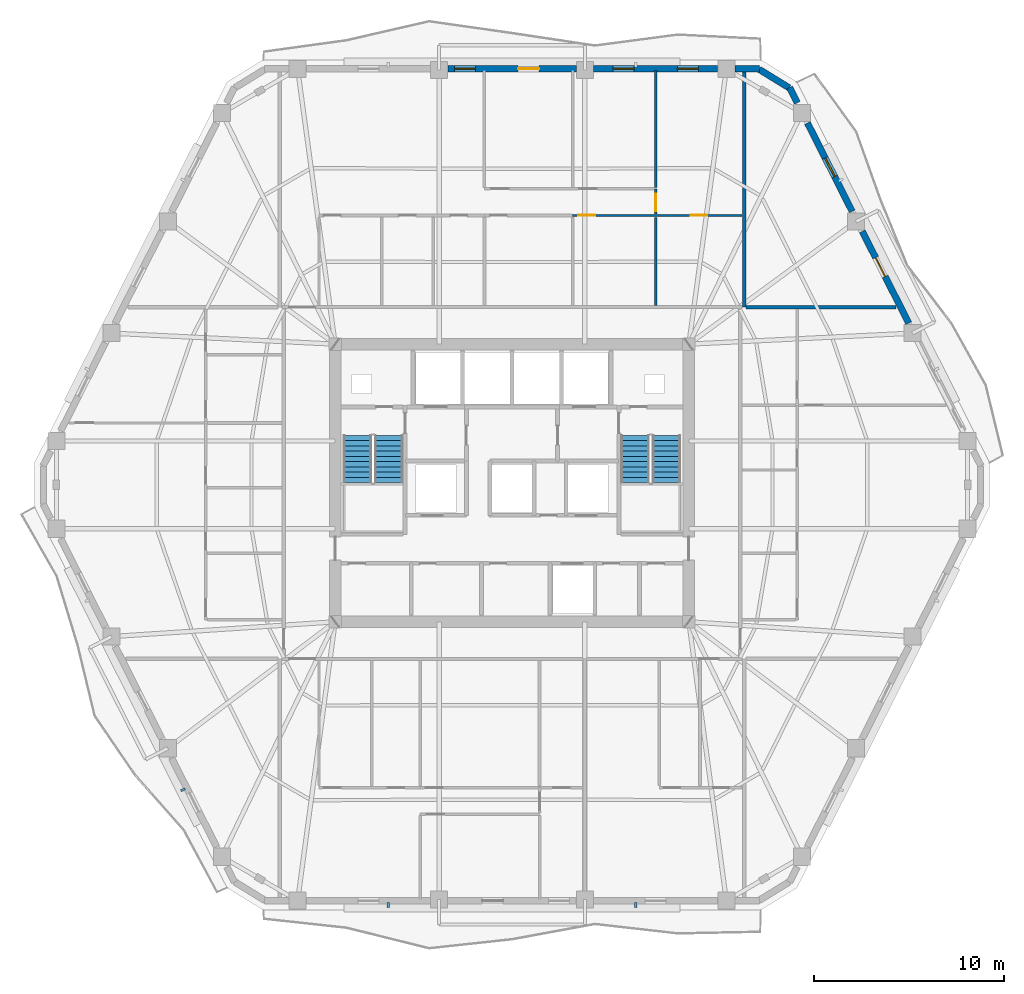
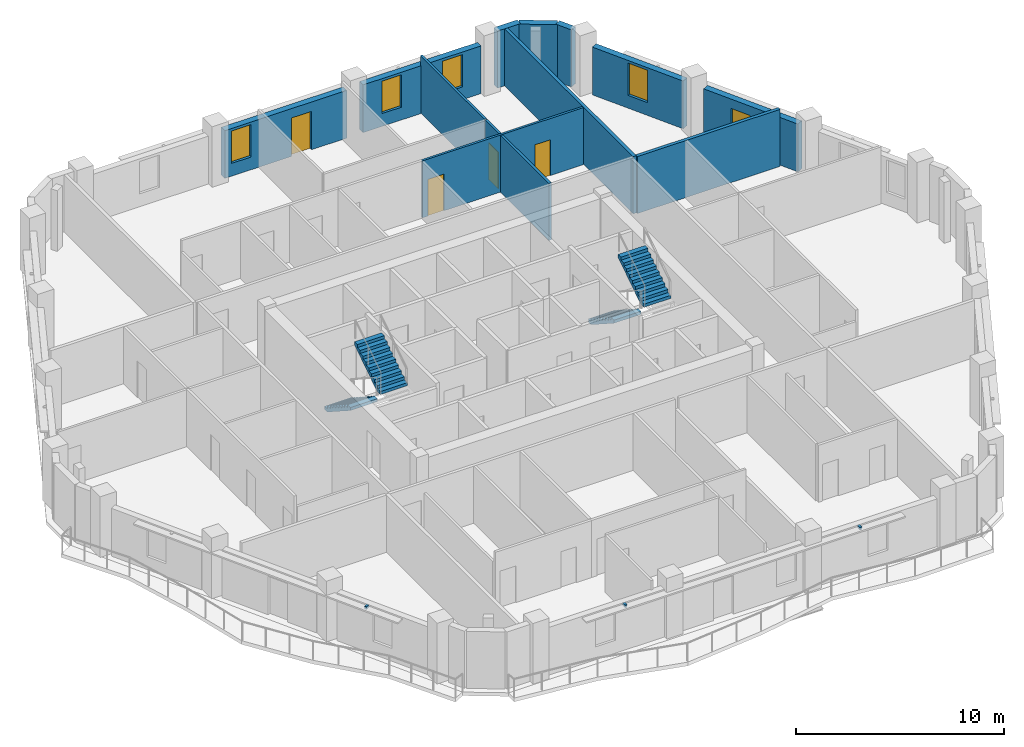
# One storey, part 8 of 12: 13 walls, 5 doors, 4 stair flights, 4 windows, 3 discrete accessories, 9 openings, 2 elements without a shape of their own.
"""IFC4 building model written with IfcOpenShell, lengths in metres."""

from ifc_helpers import new_model, si_unit, direction, frame, frame_2d, origin, origin_2d, place, context, subcontext, project, spatial, polyline, rectangle, outline, extrude, material, layer, layer_set, type_object, element, fill, aggregate, save


model = new_model("IFC4")

# Units and contexts
model_context = context("Model", 3, precision=1e-05, world=origin(), true_north=direction((0.0, 1.0)))
body_context = subcontext(model_context, "Body", "Model", "MODEL_VIEW")
ifc_project = project(units=[si_unit("LENGTHUNIT", "METRE"), si_unit("AREAUNIT", "SQUARE_METRE"), si_unit("VOLUMEUNIT", "CUBIC_METRE"), si_unit("PLANEANGLEUNIT", "RADIAN"), si_unit("MASSUNIT", "GRAM", prefix="KILO")], contexts=[model_context])

# Site, building, storey
site_placement = place(None, origin())
site = spatial("IfcSite", under=ifc_project, at=site_placement, CompositionType="ELEMENT")
building_placement = place(site_placement, origin())
building = spatial("IfcBuilding", under=site, at=building_placement, Name="Cinnabar Lancet Tower", CompositionType="ELEMENT")
storey_placement = place(building_placement, frame((0.0, 0.0, 153.5)))
storey = spatial("IfcBuildingStorey", under=building, at=storey_placement, Name="L40", CompositionType="ELEMENT", Elevation=153.5)

# Walls
ifc_material_1 = material(Name="Fire-rated twin-frame acoustic drywall", Category="gypsum")
ifc_layer_1 = layer(ifc_material_1, 0.179931640625)
ifc_layer_set_1 = layer_set([ifc_layer_1], Name="Fire-rated twin-frame acoustic drywall")
wall_type_1 = type_object("IfcWallType", Name="ARC-WL-PARTY-180", PredefinedType="PARTITIONING", material=ifc_layer_set_1)
wall_1_placement = place(storey_placement, frame((44.60009765625, 35.14990234375, 0.0), z_axis=(0.0, 0.0, 1.0), x_axis=(0.0, 1.0, 0.0)))
element("IfcWall", 1, at=wall_1_placement, inside=storey, type_object=wall_type_1, Name="PW-L40-NPTY-446", PredefinedType="PARTITIONING", context=body_context, shape_type="SweptSolid", body=[
    extrude(rectangle(XDim=12.34521484375, YDim=0.179931640625, at=frame_2d((6.172607421875, 0.0))), origin(), (0.0, 0.0, 1.0), 3.340087890625),
])
wall_2_placement = place(storey_placement, frame((44.695068359375, 35.14990234375, 0.0), z_axis=(0.0, 0.0, 1.0), x_axis=(1.0, 0.0, 0.0)))
element("IfcWall", 2, at=wall_2_placement, inside=storey, type_object=wall_type_1, Name="PW-L40-ENB", PredefinedType="PARTITIONING", context=body_context, shape_type="SweptSolid", body=[
    extrude(rectangle(XDim=7.89501953125, YDim=0.179931640625, at=frame_2d((3.947509765625, 0.0))), origin(), (0.0, 0.0, 1.0), 3.340087890625),
])

# Wall, openings, doors
ifc_material_2 = material(Name="Gypsum plasterboard stud partition", Category="gypsum")
ifc_layer_2 = layer(ifc_material_2, 0.125)
ifc_layer_set_2 = layer_set([ifc_layer_2], Name="Gypsum plasterboard stud partition")
wall_type_2 = type_object("IfcWallType", Name="ARC-WL-UNIT-125", PredefinedType="PARTITIONING", material=ifc_layer_set_2)
wall_3_placement = place(storey_placement, frame((35.591064453125, 39.965087890625, 0.0), z_axis=(0.0, 0.0, 1.0), x_axis=(1.0, 0.0, 0.0)))
wall_3 = element("IfcWall", 3, at=wall_3_placement, inside=storey, type_object=wall_type_2, Name="UW-L40-N01-SP2", PredefinedType="PARTITIONING", context=body_context, shape_type="SweptSolid", body=[
    extrude(rectangle(XDim=8.913818359375, YDim=0.125, at=frame_2d((4.45703125, 0.0))), origin(), (0.0, 0.0, 1.0), 3.340087890625),
])
opening_1_placement = place(wall_3_placement, frame((6.216064453125, 0.0, 0.0)))
opening_1 = element("IfcOpeningElement", 4, at=opening_1_placement, cuts=wall_3, Name="Opening BD-01", PredefinedType="OPENING", context=body_context, shape_type="SweptSolid", body=[
    extrude(rectangle(XDim=0.860107421875, YDim=2.10009765625, at=frame_2d((0.43017578125, 1.050048828125))), frame((0.0, 0.072509765625, 0.0), z_axis=(0.0, -1.0, 0.0), x_axis=(1.0, 0.0, 0.0)), (0.0, 0.0, 1.0), 0.14501953125),
])
opening_2_placement = place(wall_3_placement, frame((0.300048828125, 0.0, 0.0)))
opening_2 = element("IfcOpeningElement", 5, at=opening_2_placement, cuts=wall_3, Name="Opening RD-02", PredefinedType="OPENING", context=body_context, shape_type="SweptSolid", body=[
    extrude(rectangle(XDim=0.8798828125, YDim=2.14990234375, at=frame_2d((0.43994140625, 1.074951171875))), frame((0.0, 0.072509765625, 0.0), z_axis=(0.0, -1.0, 0.0), x_axis=(1.0, 0.0, 0.0)), (0.0, 0.0, 1.0), 0.14501953125),
])
ifc_material_3 = material(Name="Moisture-resistant timber bathroom door", Category="wood")
door_type_1 = type_object("IfcDoorType", Name="ARC-DR-BATH", OperationType="NOTDEFINED", PredefinedType="DOOR", material=ifc_material_3)
door_1_placement = place(opening_1_placement, origin())
door_1 = element("IfcDoor", 6, at=door_1_placement, inside=storey, type_object=door_type_1, Name="DR-L40-N01-ENS", OperationType="SINGLE_SWING_LEFT", OverallHeight=2.10009765625, OverallWidth=0.860107421875, PredefinedType="DOOR", context=body_context, shape_type="SweptSolid", body=[
    extrude(rectangle(XDim=0.860107421875, YDim=2.10009765625, at=frame_2d((0.43017578125, 1.050048828125))), frame((0.0, 0.02490234375, 0.0), z_axis=(0.0, -1.0, 0.0), x_axis=(1.0, 0.0, 0.0)), (0.0, 0.0, 1.0), 0.050048828125),
])
fill(opening_1, door_1)
ifc_material_4 = material(Name="Engineered timber study door", Category="wood")
door_type_2 = type_object("IfcDoorType", Name="ARC-DR-STUDY", OperationType="NOTDEFINED", PredefinedType="DOOR", material=ifc_material_4)
door_2_placement = place(opening_2_placement, origin())
door_2 = element("IfcDoor", 7, at=door_2_placement, inside=storey, type_object=door_type_2, Name="DR-L40-N01-DRS", OperationType="SINGLE_SWING_RIGHT", OverallHeight=2.14990234375, OverallWidth=0.8798828125, PredefinedType="DOOR", context=body_context, shape_type="SweptSolid", body=[
    extrude(rectangle(XDim=0.8798828125, YDim=2.14990234375, at=frame_2d((0.43994140625, 1.074951171875))), frame((0.0, 0.02490234375, 0.0), z_axis=(0.0, -1.0, 0.0), x_axis=(1.0, 0.0, 0.0)), (0.0, 0.0, 1.0), 0.050048828125),
])
fill(opening_2, door_2)

# Wall, opening, door
wall_4_placement = place(storey_placement, frame((39.958984375, 40.034912109375, 0.0), z_axis=(0.0, 0.0, 1.0), x_axis=(0.0, 1.0, 0.0)))
wall_4 = element("IfcWall", 8, at=wall_4_placement, inside=storey, type_object=wall_type_2, Name="UW-L40-N01-MBE", PredefinedType="PARTITIONING", context=body_context, shape_type="SweptSolid", body=[
    extrude(rectangle(XDim=1.330078125, YDim=0.125, at=frame_2d((0.6650390625, 0.0))), origin(), (0.0, 0.0, 1.0), 3.340087890625),
])
opening_3_placement = place(wall_4_placement, frame((0.159912109375, 0.0, 0.0)))
opening_3 = element("IfcOpeningElement", 9, at=opening_3_placement, cuts=wall_4, Name="Opening RD-01", PredefinedType="OPENING", context=body_context, shape_type="SweptSolid", body=[
    extrude(rectangle(XDim=0.919921875, YDim=2.14990234375, at=frame_2d((0.4599609375, 1.074951171875))), frame((0.0, 0.072509765625, 0.0), z_axis=(0.0, -1.0, 0.0), x_axis=(1.0, 0.0, 0.0)), (0.0, 0.0, 1.0), 0.14501953125),
])
ifc_material_5 = material(Name="Engineered timber bedroom door", Category="wood")
door_type_3 = type_object("IfcDoorType", Name="ARC-DR-ROOM", OperationType="NOTDEFINED", PredefinedType="DOOR", material=ifc_material_5)
door_3_placement = place(opening_3_placement, origin())
door_3 = element("IfcDoor", 10, at=door_3_placement, inside=storey, type_object=door_type_3, Name="DR-L40-N01-MBD", OperationType="SINGLE_SWING_LEFT", OverallHeight=2.14990234375, OverallWidth=0.919921875, PredefinedType="DOOR", context=body_context, shape_type="SweptSolid", body=[
    extrude(rectangle(XDim=0.919921875, YDim=2.14990234375, at=frame_2d((0.4599609375, 1.074951171875))), frame((0.0, 0.02490234375, 0.0), z_axis=(0.0, -1.0, 0.0), x_axis=(1.0, 0.0, 0.0)), (0.0, 0.0, 1.0), 0.050048828125),
])
fill(opening_3, door_3)

# Walls
wall_5_placement = place(storey_placement, frame((39.958984375, 41.429931640625, 0.0), z_axis=(0.0, 0.0, 1.0), x_axis=(0.0, 1.0, 0.0)))
element("IfcWall", 11, at=wall_5_placement, inside=storey, type_object=wall_type_2, Name="UW-L40-N01-B23W", PredefinedType="PARTITIONING", context=body_context, shape_type="SweptSolid", body=[
    extrude(rectangle(XDim=6.155029296875, YDim=0.125, at=frame_2d((3.07763671875, 0.0))), origin(), (0.0, 0.0, 1.0), 3.340087890625),
])
ifc_material_6 = material(Name="Moisture-resistant cement-board plumbing wall", Category="masonry")
ifc_layer_3 = layer(ifc_material_6, 0.139892578125)
ifc_layer_set_3 = layer_set([ifc_layer_3], Name="Moisture-resistant cement-board plumbing wall")
wall_type_3 = type_object("IfcWallType", Name="ARC-WL-WET-140", PredefinedType="PLUMBINGWALL", material=ifc_layer_set_3)
wall_6_placement = place(storey_placement, frame((39.958984375, 35.235107421875, 0.0), z_axis=(0.0, 0.0, 1.0), x_axis=(0.0, 1.0, 0.0)))
element("IfcWall", 12, at=wall_6_placement, inside=storey, type_object=wall_type_3, Name="UW-L40-N01-UT3", PredefinedType="PLUMBINGWALL", context=body_context, shape_type="SweptSolid", body=[
    extrude(rectangle(XDim=4.625, YDim=0.139892578125, at=frame_2d((2.3125, 0.0))), origin(), (0.0, 0.0, 1.0), 3.340087890625),
])
ifc_material_7 = material(Name="Cinnabar red clay brick", Category="masonry")
ifc_layer_4 = layer(ifc_material_7, 0.340087890625)
ifc_layer_set_4 = layer_set([ifc_layer_4], Name="Cinnabar red clay brick")
wall_type_4 = type_object("IfcWallType", Name="ENV-WL-BRK-RED-340", PredefinedType="STANDARD", material=ifc_layer_set_4)
wall_7_placement = place(storey_placement, frame((46.970947265625, 46.677001953125, 0.0), z_axis=(0.0, 0.0, 1.0), x_axis=(-0.851798915137, 0.523868884523, 0.0)))
element("IfcWall", 13, at=wall_7_placement, inside=storey, type_object=wall_type_4, Name="L40 Chamfered Corner Brick Pier 4.1", PredefinedType="STANDARD", context=body_context, shape_type="SweptSolid", body=[
    extrude(rectangle(XDim=1.847900390625, YDim=0.340087890625, at=frame_2d((0.923828125, 0.0))), origin(), (0.0, 0.0, 1.0), 3.340087890625),
])

# Wall, opening, door
wall_8_placement = place(storey_placement, frame((53.258056640625, 34.306884765625, 0.0), z_axis=(0.0, 0.0, 1.0), x_axis=(-0.451491174807, 0.892275584711, 0.0)))
wall_8 = element("IfcWall", 14, at=wall_8_placement, inside=storey, type_object=wall_type_4, Name="L40 Face 3 Masonry Bay Wall 3", PredefinedType="STANDARD", context=body_context, shape_type="SweptSolid", body=[
    extrude(rectangle(XDim=5.404296875, YDim=0.340087890625, at=frame_2d((2.7021484375, 0.0))), origin(), (0.0, 0.0, 1.0), 2.797119140625),
])
opening_4_placement = place(wall_8_placement, frame((2.7490234375, 0.0, 0.0)))
opening_4 = element("IfcOpeningElement", 15, at=opening_4_placement, cuts=wall_8, Name="Opening TD-01", PredefinedType="OPENING", context=body_context, shape_type="SweptSolid", body=[
    extrude(rectangle(XDim=1.10009765625, YDim=2.25, at=frame_2d((0.550048828125, 1.125))), frame((0.0, 0.179931640625, 0.0), z_axis=(0.0, -1.0, 0.0), x_axis=(1.0, 0.0, 0.0)), (0.0, 0.0, 1.0), 0.360107421875),
])
ifc_material_8 = material(Name="Thermally broken low-E glazed balcony terrace door", Category="wood")
door_type_4 = type_object("IfcDoorType", Name="ARC-DR-BALC", OperationType="NOTDEFINED", PredefinedType="DOOR", material=ifc_material_8)
door_4_placement = place(opening_4_placement, origin())
door_4 = element("IfcDoor", 16, at=door_4_placement, inside=storey, type_object=door_type_4, Name="L40 Face 3 Glazed Terrace Door", OperationType="SINGLE_SWING_LEFT", OverallHeight=2.25, OverallWidth=1.10009765625, PredefinedType="DOOR", context=body_context, shape_type="SweptSolid", body=[
    extrude(rectangle(XDim=1.10009765625, YDim=2.25, at=frame_2d((0.550048828125, 1.125))), frame((0.0, 0.02490234375, 0.0), z_axis=(0.0, -1.0, 0.0), x_axis=(1.0, 0.0, 0.0)), (0.0, 0.0, 1.0), 0.050048828125),
])
fill(opening_4, door_4)

# Wall, opening, window
wall_9_placement = place(storey_placement, frame((50.2890625, 40.176025390625, 0.0), z_axis=(0.0, 0.0, 1.0), x_axis=(-0.451595734115, 0.892222670038, 0.0)))
wall_9 = element("IfcWall", 17, at=wall_9_placement, inside=storey, type_object=wall_type_4, Name="L40 Face 3 Masonry Bay Wall 4", PredefinedType="STANDARD", context=body_context, shape_type="SweptSolid", body=[
    extrude(rectangle(XDim=5.208251953125, YDim=0.340087890625, at=frame_2d((2.60400390625, 0.0))), origin(), (0.0, 0.0, 1.0), 2.797119140625),
])
opening_5_placement = place(wall_9_placement, frame((2.053955078125, 0.0, 0.75)))
opening_5 = element("IfcOpeningElement", 18, at=opening_5_placement, cuts=wall_9, Name="Opening WN-04", PredefinedType="OPENING", context=body_context, shape_type="SweptSolid", body=[
    extrude(rectangle(XDim=1.10009765625, YDim=1.89697265625, at=frame_2d((0.550048828125, 0.948486328125))), frame((0.0, 0.179931640625, 0.0), z_axis=(0.0, -1.0, 0.0), x_axis=(1.0, 0.0, 0.0)), (0.0, 0.0, 1.0), 0.360107421875),
])
ifc_material_9 = material(Name="Thermally broken bronze-anodized aluminium tall lancet window", Category="aluminium")
window_type = type_object("IfcWindowType", Name="ENV-WN-LANCET-1100", PartitioningType="SINGLE_PANEL", PredefinedType="WINDOW", material=ifc_material_9)
window_1_placement = place(opening_5_placement, origin())
window_1 = element("IfcWindow", 19, at=window_1_placement, inside=storey, type_object=window_type, Name="L40 Face 3 Gothic Lancet Window 4", OverallHeight=1.89697265625, OverallWidth=1.10009765625, PartitioningType="SINGLE_PANEL", PredefinedType="WINDOW", context=body_context, shape_type="SweptSolid", body=[
    extrude(rectangle(XDim=1.10009765625, YDim=1.89697265625, at=frame_2d((0.550048828125, 0.948486328125))), frame((0.0, 0.030029296875, 0.0), z_axis=(0.0, -1.0, 0.0), x_axis=(1.0, 0.0, 0.0)), (0.0, 0.0, 1.0), 0.06005859375),
])
fill(opening_5, window_1)

# Walls
wall_10_placement = place(storey_placement, frame((47.39990234375, 45.885009765625, 0.0), z_axis=(0.0, 0.0, 1.0), x_axis=(-0.451521436551, 0.892260271633, 0.0)))
element("IfcWall", 20, at=wall_10_placement, inside=storey, type_object=wall_type_4, Name="L40 Face 3 Masonry Bay Wall 5", PredefinedType="STANDARD", context=body_context, shape_type="SweptSolid", body=[
    extrude(rectangle(XDim=0.90576171875, YDim=0.340087890625, at=frame_2d((0.452880859375, 0.0))), origin(), (0.0, 0.0, 1.0), 3.340087890625),
])
wall_11_placement = place(storey_placement, frame((45.402099609375, 47.669921875, 0.0), z_axis=(0.0, 0.0, 1.0), x_axis=(-1.0, 0.0, 0.0)))
element("IfcWall", 21, at=wall_11_placement, inside=storey, type_object=wall_type_4, Name="L40 Face 4 Masonry Bay Wall 1", PredefinedType="STANDARD", context=body_context, shape_type="SweptSolid", body=[
    extrude(rectangle(XDim=1.279052734375, YDim=0.340087890625, at=frame_2d((0.6396484375, 0.0))), origin(), (0.0, 0.0, 1.0), 3.340087890625),
])

# Wall, openings, windows
wall_12_placement = place(storey_placement, frame((43.215087890625, 47.669921875, 0.0), z_axis=(0.0, 0.0, 1.0), x_axis=(-1.0, 0.0, 0.0)))
wall_12 = element("IfcWall", 22, at=wall_12_placement, inside=storey, type_object=wall_type_4, Name="L40 Face 4 Masonry Bay Wall 2", PredefinedType="STANDARD", context=body_context, shape_type="SweptSolid", body=[
    extrude(rectangle(XDim=6.529052734375, YDim=0.340087890625, at=frame_2d((3.2646484375, 0.0))), origin(), (0.0, 0.0, 1.0), 2.797119140625),
])
opening_6_placement = place(wall_12_placement, frame((1.02197265625, 0.0, 0.75)))
opening_6 = element("IfcOpeningElement", 23, at=opening_6_placement, cuts=wall_12, Name="Opening WN-04", PredefinedType="OPENING", context=body_context, shape_type="SweptSolid", body=[
    extrude(rectangle(XDim=1.10009765625, YDim=1.89697265625, at=frame_2d((0.550048828125, 0.948486328125))), frame((0.0, 0.179931640625, 0.0), z_axis=(0.0, -1.0, 0.0), x_axis=(1.0, 0.0, 0.0)), (0.0, 0.0, 1.0), 0.360107421875),
])
opening_7_placement = place(wall_12_placement, frame((4.39892578125, 0.0, 0.75)))
opening_7 = element("IfcOpeningElement", 24, at=opening_7_placement, cuts=wall_12, Name="Opening WN-04", PredefinedType="OPENING", context=body_context, shape_type="SweptSolid", body=[
    extrude(rectangle(XDim=1.10009765625, YDim=1.89697265625, at=frame_2d((0.550048828125, 0.948486328125))), frame((0.0, 0.179931640625, 0.0), z_axis=(0.0, -1.0, 0.0), x_axis=(1.0, 0.0, 0.0)), (0.0, 0.0, 1.0), 0.360107421875),
])
window_2_placement = place(opening_6_placement, origin())
window_2 = element("IfcWindow", 25, at=window_2_placement, inside=storey, type_object=window_type, Name="L40 Face 4 Gothic Lancet Window 2", OverallHeight=1.89697265625, OverallWidth=1.10009765625, PartitioningType="SINGLE_PANEL", PredefinedType="WINDOW", context=body_context, shape_type="SweptSolid", body=[
    extrude(rectangle(XDim=1.10009765625, YDim=1.89697265625, at=frame_2d((0.550048828125, 0.948486328125))), frame((0.0, 0.030029296875, 0.0), z_axis=(0.0, -1.0, 0.0), x_axis=(1.0, 0.0, 0.0)), (0.0, 0.0, 1.0), 0.06005859375),
])
fill(opening_6, window_2)
window_3_placement = place(opening_7_placement, origin())
window_3 = element("IfcWindow", 26, at=window_3_placement, inside=storey, type_object=window_type, Name="L40 Split-Bay Gothic Lancet Window 114", OverallHeight=1.89697265625, OverallWidth=1.10009765625, PartitioningType="SINGLE_PANEL", PredefinedType="WINDOW", context=body_context, shape_type="SweptSolid", body=[
    extrude(rectangle(XDim=1.10009765625, YDim=1.89697265625, at=frame_2d((0.550048828125, 0.948486328125))), frame((0.0, 0.030029296875, 0.0), z_axis=(0.0, -1.0, 0.0), x_axis=(1.0, 0.0, 0.0)), (0.0, 0.0, 1.0), 0.06005859375),
])
fill(opening_7, window_3)

# Wall, openings, door, window
wall_13_placement = place(storey_placement, frame((35.778076171875, 47.669921875, 0.0), z_axis=(0.0, 0.0, 1.0), x_axis=(-1.0, 0.0, 0.0)))
wall_13 = element("IfcWall", 27, at=wall_13_placement, inside=storey, type_object=wall_type_4, Name="L40 Face 4 Masonry Bay Wall 3", PredefinedType="STANDARD", context=body_context, shape_type="SweptSolid", body=[
    extrude(rectangle(XDim=6.756103515625, YDim=0.340087890625, at=frame_2d((3.3779296875, 0.0))), origin(), (0.0, 0.0, 1.0), 2.797119140625),
])
opening_8_placement = place(wall_13_placement, frame((1.95703125, 0.0, 0.0)))
opening_8 = element("IfcOpeningElement", 28, at=opening_8_placement, cuts=wall_13, Name="Opening TD-01", PredefinedType="OPENING", context=body_context, shape_type="SweptSolid", body=[
    extrude(rectangle(XDim=1.10009765625, YDim=2.25, at=frame_2d((0.550048828125, 1.125))), frame((0.0, 0.179931640625, 0.0), z_axis=(0.0, -1.0, 0.0), x_axis=(1.0, 0.0, 0.0)), (0.0, 0.0, 1.0), 0.360107421875),
])
opening_9_placement = place(wall_13_placement, frame((5.298095703125, 0.0, 0.75)))
opening_9 = element("IfcOpeningElement", 29, at=opening_9_placement, cuts=wall_13, Name="Opening WN-04", PredefinedType="OPENING", context=body_context, shape_type="SweptSolid", body=[
    extrude(rectangle(XDim=1.10009765625, YDim=1.89697265625, at=frame_2d((0.550048828125, 0.948486328125))), frame((0.0, 0.179931640625, 0.0), z_axis=(0.0, -1.0, 0.0), x_axis=(1.0, 0.0, 0.0)), (0.0, 0.0, 1.0), 0.360107421875),
])
door_5_placement = place(opening_8_placement, origin())
door_5 = element("IfcDoor", 30, at=door_5_placement, inside=storey, type_object=door_type_4, Name="L40 Face 4 Glazed Terrace Door", OperationType="SINGLE_SWING_RIGHT", OverallHeight=2.25, OverallWidth=1.10009765625, PredefinedType="DOOR", context=body_context, shape_type="SweptSolid", body=[
    extrude(rectangle(XDim=1.10009765625, YDim=2.25, at=frame_2d((0.550048828125, 1.125))), frame((0.0, 0.02490234375, 0.0), z_axis=(0.0, -1.0, 0.0), x_axis=(1.0, 0.0, 0.0)), (0.0, 0.0, 1.0), 0.050048828125),
])
fill(opening_8, door_5)
window_4_placement = place(opening_9_placement, origin())
window_4 = element("IfcWindow", 31, at=window_4_placement, inside=storey, type_object=window_type, Name="L40 Split-Bay Gothic Lancet Window 115", OverallHeight=1.89697265625, OverallWidth=1.10009765625, PartitioningType="SINGLE_PANEL", PredefinedType="WINDOW", context=body_context, shape_type="SweptSolid", body=[
    extrude(rectangle(XDim=1.10009765625, YDim=1.89697265625, at=frame_2d((0.550048828125, 0.948486328125))), frame((0.0, 0.030029296875, 0.0), z_axis=(0.0, -1.0, 0.0), x_axis=(1.0, 0.0, 0.0)), (0.0, 0.0, 1.0), 0.06005859375),
])
fill(opening_9, window_4)

# Stair, stair flights
ifc_material_10 = material(Name="Concrete C40/50", Category="concrete")
stair_type = type_object("IfcStairType", Name="ST-CORE", PredefinedType="HALF_TURN_STAIR", material=ifc_material_10)
stair_1_placement = place(storey_placement, origin())
stair_1 = element("IfcStair", 32, at=stair_1_placement, inside=storey, type_object=stair_type, Name="L40 ST-1", PredefinedType="HALF_TURN_STAIR")
ifc_material_11 = material(Name="Concrete C40/50", Category="concrete")
stair_flight_type = type_object("IfcStairFlightType", Name="FLIGHT-CORE", PredefinedType="STRAIGHT", material=ifc_material_11)
stair_flight_1_placement = place(storey_placement, frame((24.27490234375, 28.39990234375, 0.0), z_axis=(0.0, 0.0, 1.0), x_axis=(0.0, -1.0, 0.0)))
stair_flight_1 = element("IfcStairFlight", 33, at=stair_flight_1_placement, type_object=stair_flight_type, Name="ST-1 flight 1", NumberOfRisers=10, NumberOfTreads=9, PredefinedType="STRAIGHT", RiserHeight=0.1775, TreadLength=0.275, context=body_context, shape_type="SweptSolid", body=[
    extrude(outline(polyline([(0.0, 0.0), (0.0, 0.177490234375), (0.27490234375, 0.177490234375), (0.27490234375, 0.35498046875), (0.550048828125, 0.35498046875), (0.550048828125, 0.532470703125), (0.824951171875, 0.532470703125), (0.824951171875, 0.7099609375), (1.10009765625, 0.7099609375), (1.10009765625, 0.887451171875), (1.375, 0.887451171875), (1.375, 1.06494140625), (1.64990234375, 1.06494140625), (1.64990234375, 1.242431640625), (1.925048828125, 1.242431640625), (1.925048828125, 1.419921875), (2.199951171875, 1.419921875), (2.199951171875, 1.597412109375), (2.47509765625, 1.597412109375), (2.47509765625, 1.77490234375), (2.47509765625, 1.419189453125), (0.2763671875, 0.0), (0.0, 0.0)])), frame((0.0, 0.75, 0.0), z_axis=(0.0, -1.0, 0.0), x_axis=(1.0, 0.0, 0.0)), (0.0, 0.0, 1.0), 1.5),
])
stair_flight_2_placement = place(storey_placement, frame((25.925048828125, 25.925048828125, 1.77490234375), z_axis=(0.0, 0.0, 1.0), x_axis=(0.0, 1.0, 0.0)))
stair_flight_2 = element("IfcStairFlight", 34, at=stair_flight_2_placement, type_object=stair_flight_type, Name="ST-1 flight 2", NumberOfRisers=10, NumberOfTreads=9, PredefinedType="STRAIGHT", RiserHeight=0.1775, TreadLength=0.275, context=body_context, shape_type="SweptSolid", body=[
    extrude(outline(polyline([(0.0, 0.0), (0.0, 0.177490234375), (0.27490234375, 0.177490234375), (0.27490234375, 0.35498046875), (0.550048828125, 0.35498046875), (0.550048828125, 0.532470703125), (0.824951171875, 0.532470703125), (0.824951171875, 0.7099609375), (1.10009765625, 0.7099609375), (1.10009765625, 0.887451171875), (1.375, 0.887451171875), (1.375, 1.06494140625), (1.64990234375, 1.06494140625), (1.64990234375, 1.242431640625), (1.925048828125, 1.242431640625), (1.925048828125, 1.419921875), (2.199951171875, 1.419921875), (2.199951171875, 1.597412109375), (2.47509765625, 1.597412109375), (2.47509765625, 1.77490234375), (2.47509765625, 1.419189453125), (0.2763671875, 0.0), (0.0, 0.0)])), frame((0.0, 0.75, 0.0), z_axis=(0.0, -1.0, 0.0), x_axis=(1.0, 0.0, 0.0)), (0.0, 0.0, 1.0), 1.5),
])
aggregate(stair_1, [stair_flight_1, stair_flight_2])

stair_2_placement = place(storey_placement, origin())
stair_2 = element("IfcStair", 35, at=stair_2_placement, inside=storey, type_object=stair_type, Name="L40 ST-2", PredefinedType="HALF_TURN_STAIR")
stair_flight_3_placement = place(storey_placement, frame((38.875, 28.39990234375, 0.0), z_axis=(0.0, 0.0, 1.0), x_axis=(0.0, -1.0, 0.0)))
stair_flight_3 = element("IfcStairFlight", 36, at=stair_flight_3_placement, type_object=stair_flight_type, Name="ST-2 flight 1", NumberOfRisers=10, NumberOfTreads=9, PredefinedType="STRAIGHT", RiserHeight=0.1775, TreadLength=0.275, context=body_context, shape_type="SweptSolid", body=[
    extrude(outline(polyline([(0.0, 0.0), (0.0, 0.177490234375), (0.27490234375, 0.177490234375), (0.27490234375, 0.35498046875), (0.550048828125, 0.35498046875), (0.550048828125, 0.532470703125), (0.824951171875, 0.532470703125), (0.824951171875, 0.7099609375), (1.10009765625, 0.7099609375), (1.10009765625, 0.887451171875), (1.375, 0.887451171875), (1.375, 1.06494140625), (1.64990234375, 1.06494140625), (1.64990234375, 1.242431640625), (1.925048828125, 1.242431640625), (1.925048828125, 1.419921875), (2.199951171875, 1.419921875), (2.199951171875, 1.597412109375), (2.47509765625, 1.597412109375), (2.47509765625, 1.77490234375), (2.47509765625, 1.419189453125), (0.2763671875, 0.0), (0.0, 0.0)])), frame((0.0, 0.75, 0.0), z_axis=(0.0, -1.0, 0.0), x_axis=(1.0, 0.0, 0.0)), (0.0, 0.0, 1.0), 1.5),
])
stair_flight_4_placement = place(storey_placement, frame((40.52490234375, 25.925048828125, 1.77490234375), z_axis=(0.0, 0.0, 1.0), x_axis=(0.0, 1.0, 0.0)))
stair_flight_4 = element("IfcStairFlight", 37, at=stair_flight_4_placement, type_object=stair_flight_type, Name="ST-2 flight 2", NumberOfRisers=10, NumberOfTreads=9, PredefinedType="STRAIGHT", RiserHeight=0.1775, TreadLength=0.275, context=body_context, shape_type="SweptSolid", body=[
    extrude(outline(polyline([(0.0, 0.0), (0.0, 0.177490234375), (0.27490234375, 0.177490234375), (0.27490234375, 0.35498046875), (0.550048828125, 0.35498046875), (0.550048828125, 0.532470703125), (0.824951171875, 0.532470703125), (0.824951171875, 0.7099609375), (1.10009765625, 0.7099609375), (1.10009765625, 0.887451171875), (1.375, 0.887451171875), (1.375, 1.06494140625), (1.64990234375, 1.06494140625), (1.64990234375, 1.242431640625), (1.925048828125, 1.242431640625), (1.925048828125, 1.419921875), (2.199951171875, 1.419921875), (2.199951171875, 1.597412109375), (2.47509765625, 1.597412109375), (2.47509765625, 1.77490234375), (2.47509765625, 1.419189453125), (0.2763671875, 0.0), (0.0, 0.0)])), frame((0.0, 0.75, 0.0), z_axis=(0.0, -1.0, 0.0), x_axis=(1.0, 0.0, 0.0)), (0.0, 0.0, 1.0), 1.5),
])
aggregate(stair_2, [stair_flight_3, stair_flight_4])

# Discrete accessories
ifc_material_12 = material(Name="Stainless steel 316 facade fixing bracket", Category="steel")
discrete_accessory_type = type_object("IfcDiscreteAccessoryType", Name="ENV-ACC-BRK-180", PredefinedType="BRACKET", material=ifc_material_12)
for number, where, z_axis, x_axis, name in (
    (38, (25.89892578125, 3.7099609375, 2.60009765625), (0.0, 0.0, 1.0), (1.0, 0.0, 0.0), "L40 Face 1 Sunshade Bracket A"),
    (39, (38.90087890625, 3.7099609375, 2.60009765625), (0.0, 0.0, 1.0), (1.0, 0.0, 0.0), "L40 Face 1 Sunshade Bracket B"),
    (40, (15.10107421875, 9.77197265625, 2.60009765625), (0.0, 0.0, 1.0), (0.451453853408, -0.892294468347, 0.0), "L40 Face 6 Sunshade Bracket B"),
):
    element("IfcDiscreteAccessory", number, at=place(storey_placement, frame(where, z_axis=z_axis, x_axis=x_axis)), inside=storey, type_object=discrete_accessory_type, Name=name, PredefinedType="BRACKET", context=body_context, shape_type="SweptSolid", body=[
        extrude(rectangle(XDim=0.1201171875, YDim=0.239990234375, at=origin_2d()), origin(), (0.0, 0.0, 1.0), 0.159912109375),
    ])

save(model, "model.ifc")
